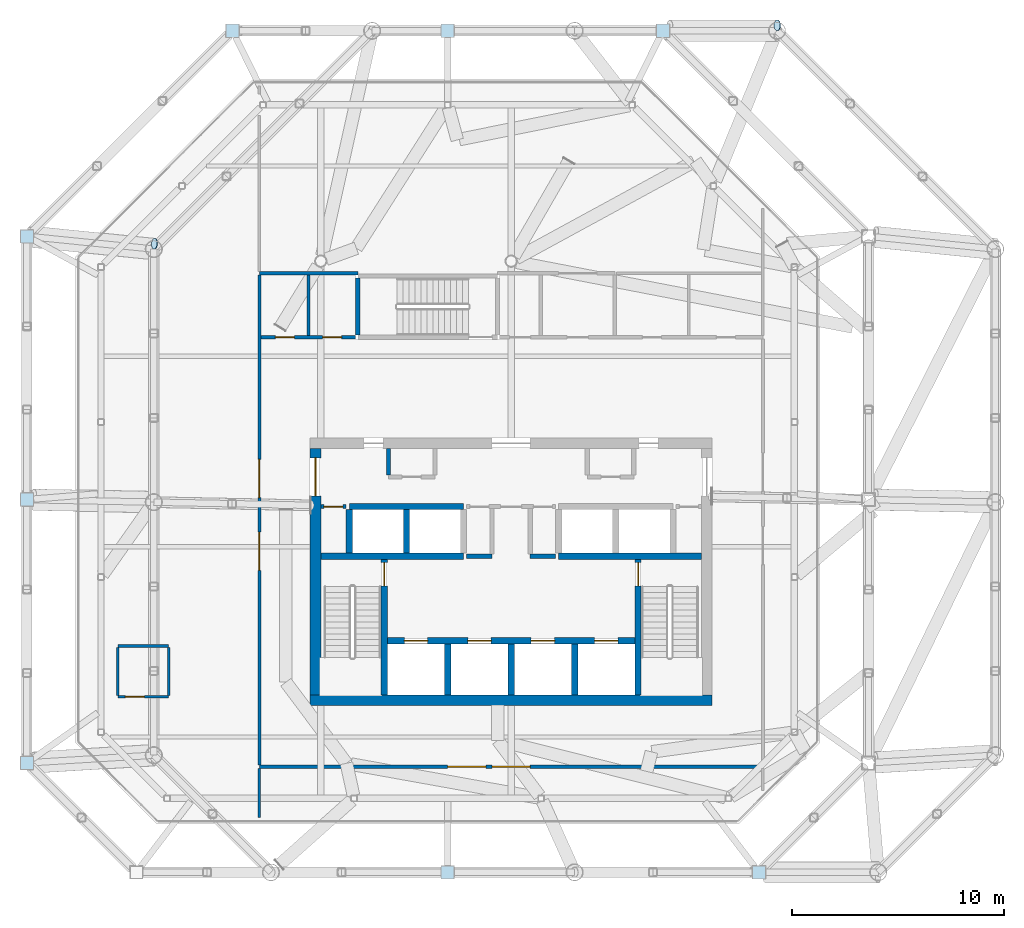
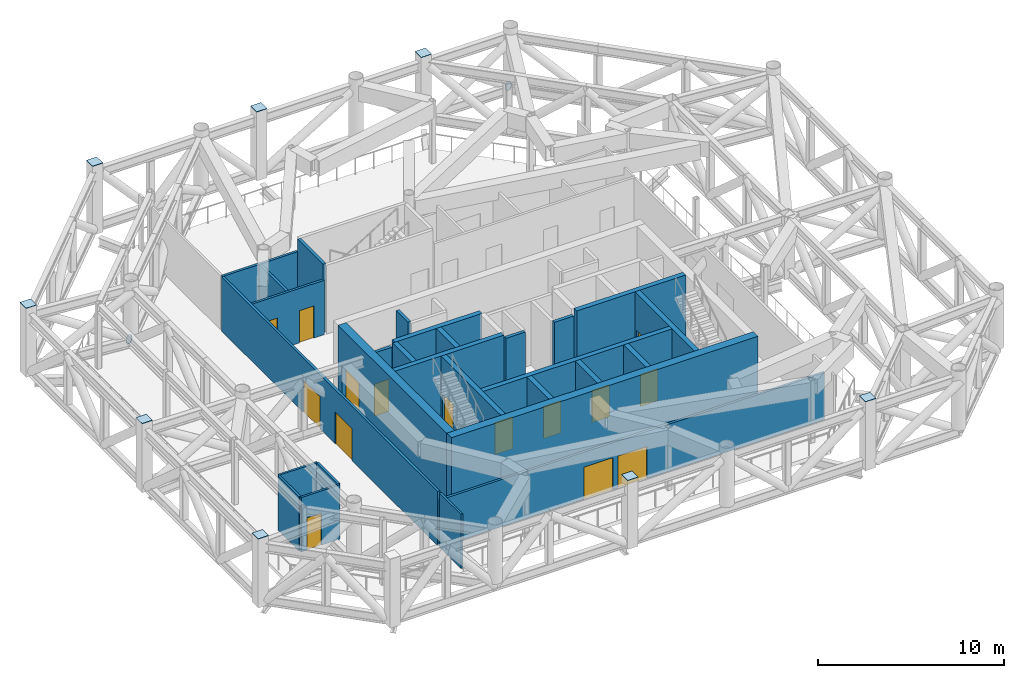
# One storey, part 9 of 14: 28 walls, 15 doors, 10 plates, 15 openings.
"""IFC4 building model written with IfcOpenShell, lengths in metres."""

from ifc_helpers import new_model, si_unit, direction, frame, frame_2d, origin, origin_2d, place, context, subcontext, project, spatial, rectangle, circle, extrude, material, layer, layer_set, material_profile, profile_set, type_object, element, fill, save


model = new_model("IFC4")

# Units and contexts
model_context = context("Model", 3, precision=1e-05, world=origin(), true_north=direction((0.0, 1.0)))
body_context = subcontext(model_context, "Body", "Model", "MODEL_VIEW")
ifc_project = project(units=[si_unit("LENGTHUNIT", "METRE"), si_unit("AREAUNIT", "SQUARE_METRE"), si_unit("VOLUMEUNIT", "CUBIC_METRE"), si_unit("PLANEANGLEUNIT", "RADIAN"), si_unit("MASSUNIT", "GRAM", prefix="KILO")], contexts=[model_context])

# Site, building, storey
site_placement = place(None, origin())
site = spatial("IfcSite", under=ifc_project, at=site_placement, CompositionType="ELEMENT")
building_placement = place(site_placement, origin())
building = spatial("IfcBuilding", under=site, at=building_placement, Name="Tskaro Facet Tower", CompositionType="ELEMENT")
storey_placement = place(building_placement, frame((0.0, 0.0, 255.0)))
storey = spatial("IfcBuildingStorey", under=building, at=storey_placement, Name="L67", CompositionType="ELEMENT", Elevation=255.0)

# Plates
ifc_material_1 = material(Name="Steel S355J2", Category="steel")
ifc_material_profile_1 = material_profile(ifc_material_1, circle(Radius=0.25390625, at=origin_2d()), Name="PL 508 dia x30 end plate")
ifc_profile_set_1 = profile_set([ifc_material_profile_1], Name="Steel S355J2")
plate_type_1 = type_object("IfcPlateType", Name="PL 508 dia x30 end plate", PredefinedType="SHEET", material=ifc_profile_set_1)
plate_1_placement = place(storey_placement, frame((12.572021484375, 20.14697265625, 0.31005859375), z_axis=(0.825708106914, 0.0, -0.564097617595), x_axis=(0.0, 1.0, 0.0)))
element("IfcPlate", 1, at=plate_1_placement, inside=storey, type_object=plate_type_1, Name="End plate CP3-01", PredefinedType="SHEET", context=body_context, shape_type="SweptSolid", body=[
    extrude(circle(Radius=0.25390625, at=origin_2d()), origin(), (0.0, 0.0, 1.0), 0.02978515625),
])
plate_2_placement = place(storey_placement, frame((-16.86767578125, 9.82470703125, 0.31005859375), z_axis=(0.85107475038, -0.081054738131, -0.518750324041), x_axis=(0.094809092628, 0.995495472594, 0.0)))
element("IfcPlate", 2, at=plate_2_placement, inside=storey, type_object=plate_type_1, Name="End plate CP3-02", PredefinedType="SHEET", context=body_context, shape_type="SweptSolid", body=[
    extrude(circle(Radius=0.25390625, at=origin_2d()), origin(), (0.0, 0.0, 1.0), 0.030029296875),
])
ifc_material_profile_2 = material_profile(ifc_material_1, rectangle(XDim=0.64990234375, YDim=0.64990234375, at=origin_2d()), Name="PL 650x650x30 end plate")
ifc_profile_set_2 = profile_set([ifc_material_profile_2], Name="Steel S355J2")
plate_type_2 = type_object("IfcPlateType", Name="PL 650x650x30 end plate", PredefinedType="SHEET", material=ifc_profile_set_2)
for number, where, z_axis, x_axis, name in (
    (3, (-3.0, -19.89306640625, 4.5), (0.0, 0.0, 1.0), (1.0, 0.0, 0.0), "End plate CP7-02"),
    (4, (11.718994140625, -19.89306640625, 4.5), (0.0, 0.0, 1.0), (1.0, 0.0, 0.0), "End plate CP7-03"),
    (5, (7.176025390625, 19.89306640625, 4.5), (0.0, 0.0, 1.0), (1.0, 0.0, 0.0), "End plate CP7-04"),
    (6, (-3.0, 19.89306640625, 4.5), (0.0, 0.0, 1.0), (1.0, 0.0, 0.0), "End plate CP7-05"),
    (7, (-13.176025390625, 19.89306640625, 4.5), (0.0, 0.0, 1.0), (1.0, 0.0, 0.0), "End plate CP7-06"),
    (8, (-22.89306640625, 10.176025390625, 4.5), (0.0, 0.0, 1.0), (1.0, 0.0, 0.0), "End plate CP7-07"),
    (9, (-22.89306640625, -2.27099609375, 4.5), (0.0, 0.0, 1.0), (1.0, 0.0, 0.0), "End plate CP7-08"),
    (10, (-22.89306640625, -14.718994140625, 4.5), (0.0, 0.0, 1.0), (1.0, 0.0, 0.0), "End plate CP7-09"),
):
    element("IfcPlate", number, at=place(storey_placement, frame(where, z_axis=z_axis, x_axis=x_axis)), inside=storey, type_object=plate_type_2, Name=name, PredefinedType="SHEET", context=body_context, shape_type="SweptSolid", body=[
        extrude(rectangle(XDim=0.64990234375, YDim=0.64990234375, at=origin_2d()), origin(), (0.0, 0.0, 1.0), 0.030029296875),
    ])

# Wall, openings, doors
ifc_material_2 = material(Name="Concrete C60/75", Category="concrete")
ifc_layer_1 = layer(ifc_material_2, 0.300048828125, Name="Concrete C60/75")
ifc_layer_set_1 = layer_set([ifc_layer_1], Name="Concrete C60/75")
wall_type_1 = type_object("IfcWallType", Name="CORE-SHAFT", PredefinedType="SHEAR", material=ifc_layer_set_1)
wall_1_placement = place(storey_placement, frame((-5.85009765625, -8.949951171875, 0.0), z_axis=(0.0, 0.0, 1.0), x_axis=(1.0, 0.0, 0.0)))
wall_1 = element("IfcWall", 11, at=wall_1_placement, inside=storey, type_object=wall_type_1, Name="Shaft wall W004", PredefinedType="SHEAR", context=body_context, shape_type="SweptSolid", body=[
    extrude(rectangle(XDim=11.7001953125, YDim=0.300048828125, at=frame_2d((5.85009765625, 0.0))), origin(), (0.0, 0.0, 1.0), 4.5),
])
opening_1_placement = place(wall_1_placement, frame((0.800048828125, 0.0, 0.0)))
opening_1 = element("IfcOpeningElement", 12, at=opening_1_placement, cuts=wall_1, Name="Opening LD-FF1", PredefinedType="OPENING", context=body_context, shape_type="SweptSolid", body=[
    extrude(rectangle(XDim=1.10009765625, YDim=2.10009765625, at=frame_2d((0.550048828125, 1.050048828125))), frame((0.0, 0.159912109375, 0.0), z_axis=(0.0, -1.0, 0.0), x_axis=(1.0, 0.0, 0.0)), (0.0, 0.0, 1.0), 0.320068359375),
])
opening_2_placement = place(wall_1_placement, frame((3.800048828125, 0.0, 0.0)))
opening_2 = element("IfcOpeningElement", 13, at=opening_2_placement, cuts=wall_1, Name="Opening LD-FF2", PredefinedType="OPENING", context=body_context, shape_type="SweptSolid", body=[
    extrude(rectangle(XDim=1.10009765625, YDim=2.10009765625, at=frame_2d((0.550048828125, 1.050048828125))), frame((0.0, 0.159912109375, 0.0), z_axis=(0.0, -1.0, 0.0), x_axis=(1.0, 0.0, 0.0)), (0.0, 0.0, 1.0), 0.320068359375),
])
opening_3_placement = place(wall_1_placement, frame((6.800048828125, 0.0, 0.0)))
opening_3 = element("IfcOpeningElement", 14, at=opening_3_placement, cuts=wall_1, Name="Opening LD-SV1", PredefinedType="OPENING", context=body_context, shape_type="SweptSolid", body=[
    extrude(rectangle(XDim=1.10009765625, YDim=2.10009765625, at=frame_2d((0.550048828125, 1.050048828125))), frame((0.0, 0.159912109375, 0.0), z_axis=(0.0, -1.0, 0.0), x_axis=(1.0, 0.0, 0.0)), (0.0, 0.0, 1.0), 0.320068359375),
])
opening_4_placement = place(wall_1_placement, frame((9.800048828125, 0.0, 0.0)))
opening_4 = element("IfcOpeningElement", 15, at=opening_4_placement, cuts=wall_1, Name="Opening LD-SV2", PredefinedType="OPENING", context=body_context, shape_type="SweptSolid", body=[
    extrude(rectangle(XDim=1.10009765625, YDim=2.10009765625, at=frame_2d((0.550048828125, 1.050048828125))), frame((0.0, 0.159912109375, 0.0), z_axis=(0.0, -1.0, 0.0), x_axis=(1.0, 0.0, 0.0)), (0.0, 0.0, 1.0), 0.320068359375),
])
ifc_material_3 = material(Name="Stainless steel", Category="steel")
door_type_1 = type_object("IfcDoorType", Name="D-LANDING", OperationType="NOTDEFINED", PredefinedType="DOOR", material=ifc_material_3)
door_1_placement = place(opening_1_placement, origin())
door_1 = element("IfcDoor", 16, at=door_1_placement, inside=storey, type_object=door_type_1, Name="Landing door FF1", OperationType="DOUBLE_DOOR_SLIDING", OverallHeight=2.10009765625, OverallWidth=1.10009765625, PredefinedType="DOOR", context=body_context, shape_type="SweptSolid", body=[
    extrude(rectangle(XDim=1.10009765625, YDim=2.10009765625, at=frame_2d((0.550048828125, 1.050048828125))), frame((0.0, 0.02490234375, 0.0), z_axis=(0.0, -1.0, 0.0), x_axis=(1.0, 0.0, 0.0)), (0.0, 0.0, 1.0), 0.050048828125),
])
fill(opening_1, door_1)
door_2_placement = place(opening_2_placement, origin())
door_2 = element("IfcDoor", 17, at=door_2_placement, inside=storey, type_object=door_type_1, Name="Landing door FF2", OperationType="DOUBLE_DOOR_SLIDING", OverallHeight=2.10009765625, OverallWidth=1.10009765625, PredefinedType="DOOR", context=body_context, shape_type="SweptSolid", body=[
    extrude(rectangle(XDim=1.10009765625, YDim=2.10009765625, at=frame_2d((0.550048828125, 1.050048828125))), frame((0.0, 0.02490234375, 0.0), z_axis=(0.0, -1.0, 0.0), x_axis=(1.0, 0.0, 0.0)), (0.0, 0.0, 1.0), 0.050048828125),
])
fill(opening_2, door_2)
door_3_placement = place(opening_3_placement, origin())
door_3 = element("IfcDoor", 18, at=door_3_placement, inside=storey, type_object=door_type_1, Name="Landing door SV1", OperationType="DOUBLE_DOOR_SLIDING", OverallHeight=2.10009765625, OverallWidth=1.10009765625, PredefinedType="DOOR", context=body_context, shape_type="SweptSolid", body=[
    extrude(rectangle(XDim=1.10009765625, YDim=2.10009765625, at=frame_2d((0.550048828125, 1.050048828125))), frame((0.0, 0.02490234375, 0.0), z_axis=(0.0, -1.0, 0.0), x_axis=(1.0, 0.0, 0.0)), (0.0, 0.0, 1.0), 0.050048828125),
])
fill(opening_3, door_3)
door_4_placement = place(opening_4_placement, origin())
door_4 = element("IfcDoor", 19, at=door_4_placement, inside=storey, type_object=door_type_1, Name="Landing door SV2", OperationType="DOUBLE_DOOR_SLIDING", OverallHeight=2.10009765625, OverallWidth=1.10009765625, PredefinedType="DOOR", context=body_context, shape_type="SweptSolid", body=[
    extrude(rectangle(XDim=1.10009765625, YDim=2.10009765625, at=frame_2d((0.550048828125, 1.050048828125))), frame((0.0, 0.02490234375, 0.0), z_axis=(0.0, -1.0, 0.0), x_axis=(1.0, 0.0, 0.0)), (0.0, 0.0, 1.0), 0.050048828125),
])
fill(opening_4, door_4)

# Walls
for number, where, z_axis, x_axis, name in (
    (20, (-9.0, -4.949951171875, 0.0), (0.0, 0.0, 1.0), (1.0, 0.0, 0.0), "Shaft wall W005"),
    (21, (2.25, -4.949951171875, 0.0), (0.0, 0.0, 1.0), (1.0, 0.0, 0.0), "Shaft wall W008"),
):
    element("IfcWall", number, at=place(storey_placement, frame(where, z_axis=z_axis, x_axis=x_axis)), inside=storey, type_object=wall_type_1, Name=name, PredefinedType="SHEAR", context=body_context, shape_type="SweptSolid", body=[
        extrude(rectangle(XDim=6.75, YDim=0.300048828125, at=frame_2d((3.375, 0.0))), origin(), (0.0, 0.0, 1.0), 4.5),
    ])
wall_2_placement = place(storey_placement, frame((-7.64990234375, -2.60009765625, 0.0), z_axis=(0.0, 0.0, 1.0), x_axis=(1.0, 0.0, 0.0)))
element("IfcWall", 22, at=wall_2_placement, inside=storey, type_object=wall_type_1, Name="Shaft wall W010", PredefinedType="SHEAR", context=body_context, shape_type="SweptSolid", body=[
    extrude(rectangle(XDim=5.39990234375, YDim=0.300048828125, at=frame_2d((2.699951171875, 0.0))), origin(), (0.0, 0.0, 1.0), 4.5),
])
wall_3_placement = place(storey_placement, frame((-7.64990234375, -4.800048828125, 0.0), z_axis=(0.0, 0.0, 1.0), x_axis=(0.0, 1.0, 0.0)))
element("IfcWall", 23, at=wall_3_placement, inside=storey, type_object=wall_type_1, Name="Shaft wall W030", PredefinedType="SHEAR", context=body_context, shape_type="SweptSolid", body=[
    extrude(rectangle(XDim=2.050048828125, YDim=0.300048828125, at=frame_2d((1.02490234375, 0.0))), origin(), (0.0, 0.0, 1.0), 4.5),
])

# Wall, opening, door
wall_4_placement = place(storey_placement, frame((-6.0, -11.5, 0.0), z_axis=(0.0, 0.0, 1.0), x_axis=(0.0, 1.0, 0.0)))
wall_4 = element("IfcWall", 24, at=wall_4_placement, inside=storey, type_object=wall_type_1, Name="Shaft wall W032", PredefinedType="SHEAR", context=body_context, shape_type="SweptSolid", body=[
    extrude(rectangle(XDim=6.39990234375, YDim=0.300048828125, at=frame_2d((3.199951171875, 0.0))), origin(), (0.0, 0.0, 1.0), 4.5),
])
opening_5_placement = place(wall_4_placement, frame((5.14990234375, 0.0, 0.0)))
opening_5 = element("IfcOpeningElement", 25, at=opening_5_placement, cuts=wall_4, Name="Opening ST-1-D1", PredefinedType="OPENING", context=body_context, shape_type="SweptSolid", body=[
    extrude(rectangle(XDim=1.10009765625, YDim=2.10009765625, at=frame_2d((0.550048828125, 1.050048828125))), frame((0.0, 0.159912109375, 0.0), z_axis=(0.0, -1.0, 0.0), x_axis=(1.0, 0.0, 0.0)), (0.0, 0.0, 1.0), 0.320068359375),
])
ifc_material_4 = material(Name="Steel", Category="steel")
door_type_2 = type_object("IfcDoorType", Name="D-STAIR", OperationType="NOTDEFINED", PredefinedType="DOOR", material=ifc_material_4)
door_5_placement = place(opening_5_placement, origin())
door_5 = element("IfcDoor", 26, at=door_5_placement, inside=storey, type_object=door_type_2, Name="Stair door 1", OperationType="SINGLE_SWING_LEFT", OverallHeight=2.10009765625, OverallWidth=1.10009765625, PredefinedType="DOOR", context=body_context, shape_type="SweptSolid", body=[
    extrude(rectangle(XDim=1.10009765625, YDim=2.10009765625, at=frame_2d((0.550048828125, 1.050048828125))), frame((0.0, 0.02490234375, 0.0), z_axis=(0.0, -1.0, 0.0), x_axis=(1.0, 0.0, 0.0)), (0.0, 0.0, 1.0), 0.050048828125),
])
fill(opening_5, door_5)

# Walls
wall_5_placement = place(storey_placement, frame((-4.949951171875, -4.800048828125, 0.0), z_axis=(0.0, 0.0, 1.0), x_axis=(0.0, 1.0, 0.0)))
element("IfcWall", 27, at=wall_5_placement, inside=storey, type_object=wall_type_1, Name="Shaft wall W034", PredefinedType="SHEAR", context=body_context, shape_type="SweptSolid", body=[
    extrude(rectangle(XDim=2.050048828125, YDim=0.300048828125, at=frame_2d((1.02490234375, 0.0))), origin(), (0.0, 0.0, 1.0), 4.5),
])
for number, where, z_axis, x_axis, name in (
    (28, (-3.0, -11.5, 0.0), (0.0, 0.0, 1.0), (0.0, 1.0, 0.0), "Shaft wall W036"),
    (29, (0.0, -11.5, 0.0), (0.0, 0.0, 1.0), (0.0, 1.0, 0.0), "Shaft wall W040"),
    (30, (3.0, -11.5, 0.0), (0.0, 0.0, 1.0), (0.0, 1.0, 0.0), "Shaft wall W044"),
):
    element("IfcWall", number, at=place(storey_placement, frame(where, z_axis=z_axis, x_axis=x_axis)), inside=storey, type_object=wall_type_1, Name=name, PredefinedType="SHEAR", context=body_context, shape_type="SweptSolid", body=[
        extrude(rectangle(XDim=2.39990234375, YDim=0.300048828125, at=frame_2d((1.199951171875, 0.0))), origin(), (0.0, 0.0, 1.0), 4.5),
    ])

# Wall, opening, door
wall_6_placement = place(storey_placement, frame((6.0, -5.10009765625, 0.0), z_axis=(0.0, 0.0, 1.0), x_axis=(0.0, -1.0, 0.0)))
wall_6 = element("IfcWall", 31, at=wall_6_placement, inside=storey, type_object=wall_type_1, Name="Shaft wall W049", PredefinedType="SHEAR", context=body_context, shape_type="SweptSolid", body=[
    extrude(rectangle(XDim=6.39990234375, YDim=0.300048828125, at=frame_2d((3.199951171875, 0.0))), origin(), (0.0, 0.0, 1.0), 4.5),
])
opening_6_placement = place(wall_6_placement, frame((0.14990234375, 0.0, 0.0)))
opening_6 = element("IfcOpeningElement", 32, at=opening_6_placement, cuts=wall_6, Name="Opening ST-2-D1", PredefinedType="OPENING", context=body_context, shape_type="SweptSolid", body=[
    extrude(rectangle(XDim=1.10009765625, YDim=2.10009765625, at=frame_2d((0.550048828125, 1.050048828125))), frame((0.0, 0.159912109375, 0.0), z_axis=(0.0, -1.0, 0.0), x_axis=(1.0, 0.0, 0.0)), (0.0, 0.0, 1.0), 0.320068359375),
])
door_6_placement = place(opening_6_placement, origin())
door_6 = element("IfcDoor", 33, at=door_6_placement, inside=storey, type_object=door_type_2, Name="Stair door 2", OperationType="SINGLE_SWING_RIGHT", OverallHeight=2.10009765625, OverallWidth=1.10009765625, PredefinedType="DOOR", context=body_context, shape_type="SweptSolid", body=[
    extrude(rectangle(XDim=1.10009765625, YDim=2.10009765625, at=frame_2d((0.550048828125, 1.050048828125))), frame((0.0, 0.02490234375, 0.0), z_axis=(0.0, -1.0, 0.0), x_axis=(1.0, 0.0, 0.0)), (0.0, 0.0, 1.0), 0.050048828125),
])
fill(opening_6, door_6)

# Walls
ifc_material_5 = material(Name="Concrete C20/25", Category="concrete")
ifc_layer_2 = layer(ifc_material_5, 0.199951171875, Name="Concrete C20/25")
ifc_layer_set_2 = layer_set([ifc_layer_2], Name="Concrete C20/25")
wall_type_2 = type_object("IfcWallType", Name="CORE-WALL", PredefinedType="SOLIDWALL", material=ifc_layer_set_2)
for number, where, z_axis, x_axis, name in (
    (34, (-2.10009765625, -4.949951171875, 0.0), (0.0, 0.0, 1.0), (1.0, 0.0, 0.0), "Core room wall W006"),
    (35, (0.89990234375, -4.949951171875, 0.0), (0.0, 0.0, 1.0), (1.0, 0.0, 0.0), "Core room wall W007"),
):
    element("IfcWall", number, at=place(storey_placement, frame(where, z_axis=z_axis, x_axis=x_axis)), inside=storey, type_object=wall_type_2, Name=name, PredefinedType="SOLIDWALL", context=body_context, shape_type="SweptSolid", body=[
        extrude(rectangle(XDim=1.2001953125, YDim=0.199951171875, at=frame_2d((0.60009765625, 0.0))), origin(), (0.0, 0.0, 1.0), 4.199951171875),
    ])

# Wall, opening, door
wall_7_placement = place(storey_placement, frame((-7.800048828125, -2.60009765625, 0.0), z_axis=(0.0, 0.0, 1.0), x_axis=(-1.0, 0.0, 0.0)))
wall_7 = element("IfcWall", 36, at=wall_7_placement, inside=storey, type_object=wall_type_2, Name="Core room wall W009", PredefinedType="SOLIDWALL", context=body_context, shape_type="SweptSolid", body=[
    extrude(rectangle(XDim=1.199951171875, YDim=0.199951171875, at=frame_2d((0.60009765625, 0.0))), origin(), (0.0, 0.0, 1.0), 4.199951171875),
])
opening_7_placement = place(wall_7_placement, frame((0.14990234375, 0.0, 0.0)))
opening_7 = element("IfcOpeningElement", 37, at=opening_7_placement, cuts=wall_7, Name="Opening R67-D07", PredefinedType="OPENING", context=body_context, shape_type="SweptSolid", body=[
    extrude(rectangle(XDim=0.89990234375, YDim=2.10009765625, at=frame_2d((0.449951171875, 1.050048828125))), frame((0.0, 0.10986328125, 0.0), z_axis=(0.0, -1.0, 0.0), x_axis=(1.0, 0.0, 0.0)), (0.0, 0.0, 1.0), 0.219970703125),
])
ifc_material_6 = material(Name="Timber", Category="wood")
door_type_3 = type_object("IfcDoorType", Name="D-ROOM", OperationType="NOTDEFINED", PredefinedType="DOOR", material=ifc_material_6)
door_7_placement = place(opening_7_placement, origin())
door_7 = element("IfcDoor", 38, at=door_7_placement, inside=storey, type_object=door_type_3, Name="Door R67-D07", OperationType="SINGLE_SWING_RIGHT", OverallHeight=2.10009765625, OverallWidth=0.89990234375, PredefinedType="DOOR", context=body_context, shape_type="SweptSolid", body=[
    extrude(rectangle(XDim=0.89990234375, YDim=2.10009765625, at=frame_2d((0.449951171875, 1.050048828125))), frame((0.0, 0.02490234375, 0.0), z_axis=(0.0, -1.0, 0.0), x_axis=(1.0, 0.0, 0.0)), (0.0, 0.0, 1.0), 0.050048828125),
])
fill(opening_7, door_7)

# Walls
wall_8_placement = place(storey_placement, frame((-5.800048828125, -1.10009765625, 0.0), z_axis=(0.0, 0.0, 1.0), x_axis=(0.0, 1.0, 0.0)))
element("IfcWall", 39, at=wall_8_placement, inside=storey, type_object=wall_type_2, Name="Core room wall W033", PredefinedType="SOLIDWALL", context=body_context, shape_type="SweptSolid", body=[
    extrude(rectangle(XDim=1.25, YDim=0.199951171875, at=frame_2d((0.625, 0.0))), origin(), (0.0, 0.0, 1.0), 4.199951171875),
])
ifc_material_7 = material(Name="Concrete C40/50", Category="concrete")
ifc_layer_3 = layer(ifc_material_7, 0.5, Name="Concrete C40/50")
ifc_layer_set_3 = layer_set([ifc_layer_3], Name="Concrete C40/50")
wall_type_3 = type_object("IfcWallType", Name="Core wall 500", PredefinedType="SHEAR", material=ifc_layer_set_3)
wall_9_placement = place(storey_placement, frame((-9.5, -11.75, 0.0), z_axis=(0.0, 0.0, 1.0), x_axis=(1.0, 0.0, 0.0)))
element("IfcWall", 40, at=wall_9_placement, inside=storey, type_object=wall_type_3, Name="Core wall CW-Z3S", PredefinedType="SHEAR", context=body_context, shape_type="SweptSolid", body=[
    extrude(rectangle(XDim=19.0, YDim=0.5, at=frame_2d((9.5, 0.0))), origin(), (0.0, 0.0, 1.0), 4.5),
])

# Wall, opening, door
wall_10_placement = place(storey_placement, frame((-9.25, -11.5, 0.0), z_axis=(0.0, 0.0, 1.0), x_axis=(0.0, 1.0, 0.0)))
wall_10 = element("IfcWall", 41, at=wall_10_placement, inside=storey, type_object=wall_type_3, Name="Core wall CW-Z3W", PredefinedType="SHEAR", context=body_context, shape_type="SweptSolid", body=[
    extrude(rectangle(XDim=11.64990234375, YDim=0.5, at=frame_2d((5.824951171875, 0.0))), origin(), (0.0, 0.0, 1.0), 4.5),
])
opening_8_placement = place(wall_10_placement, frame((9.39990234375, 0.0, 0.0)))
opening_8 = element("IfcOpeningElement", 42, at=opening_8_placement, cuts=wall_10, Name="Opening R67-D12", PredefinedType="OPENING", context=body_context, shape_type="SweptSolid", body=[
    extrude(rectangle(XDim=1.800048828125, YDim=2.10009765625, at=frame_2d((0.89990234375, 1.050048828125))), frame((0.0, 0.260009765625, 0.0), z_axis=(0.0, -1.0, 0.0), x_axis=(1.0, 0.0, 0.0)), (0.0, 0.0, 1.0), 0.52001953125),
])
door_type_4 = type_object("IfcDoorType", Name="D-CORE-PAIR", OperationType="NOTDEFINED", PredefinedType="DOOR", material=ifc_material_4)
door_8_placement = place(opening_8_placement, origin())
door_8 = element("IfcDoor", 43, at=door_8_placement, inside=storey, type_object=door_type_4, Name="Door R67-D12", OperationType="DOUBLE_DOOR_SINGLE_SWING", OverallHeight=2.10009765625, OverallWidth=1.800048828125, PredefinedType="DOOR", context=body_context, shape_type="SweptSolid", body=[
    extrude(rectangle(XDim=1.800048828125, YDim=2.10009765625, at=frame_2d((0.89990234375, 1.050048828125))), frame((0.0, 0.02490234375, 0.0), z_axis=(0.0, -1.0, 0.0), x_axis=(1.0, 0.0, 0.0)), (0.0, 0.0, 1.0), 0.050048828125),
])
fill(opening_8, door_8)

ifc_material_8 = material(Name="Gypsum board on steel studs", Category="steel")
ifc_layer_4 = layer(ifc_material_8, 0.125, Name="Gypsum board on steel studs")
ifc_layer_set_4 = layer_set([ifc_layer_4], Name="Gypsum board on steel studs")
wall_type_4 = type_object("IfcWallType", Name="PART", PredefinedType="PARTITIONING", material=ifc_layer_set_4)
wall_11_placement = place(storey_placement, frame((-18.590087890625, -11.590087890625, 0.0), z_axis=(0.0, 0.0, 1.0), x_axis=(1.0, 0.0, 0.0)))
wall_11 = element("IfcWall", 44, at=wall_11_placement, inside=storey, type_object=wall_type_4, Name="Partition W002", PredefinedType="PARTITIONING", context=body_context, shape_type="SweptSolid", body=[
    extrude(rectangle(XDim=2.400146484375, YDim=0.125, at=frame_2d((1.2001953125, 0.0))), origin(), (0.0, 0.0, 1.0), 3.56005859375),
])
opening_9_placement = place(wall_11_placement, frame((0.35009765625, 0.0, 0.0)))
opening_9 = element("IfcOpeningElement", 45, at=opening_9_placement, cuts=wall_11, Name="Opening R67-D03", PredefinedType="OPENING", context=body_context, shape_type="SweptSolid", body=[
    extrude(rectangle(XDim=0.89990234375, YDim=2.10009765625, at=frame_2d((0.449951171875, 1.050048828125))), frame((0.0, 0.072509765625, 0.0), z_axis=(0.0, -1.0, 0.0), x_axis=(1.0, 0.0, 0.0)), (0.0, 0.0, 1.0), 0.14501953125),
])
door_9_placement = place(opening_9_placement, origin())
door_9 = element("IfcDoor", 46, at=door_9_placement, inside=storey, type_object=door_type_3, Name="Door R67-D03", OperationType="SINGLE_SWING_LEFT", OverallHeight=2.10009765625, OverallWidth=0.89990234375, PredefinedType="DOOR", context=body_context, shape_type="SweptSolid", body=[
    extrude(rectangle(XDim=0.89990234375, YDim=2.10009765625, at=frame_2d((0.449951171875, 1.050048828125))), frame((0.0, 0.02490234375, 0.0), z_axis=(0.0, -1.0, 0.0), x_axis=(1.0, 0.0, 0.0)), (0.0, 0.0, 1.0), 0.050048828125),
])
fill(opening_9, door_9)

# Walls
wall_12_placement = place(storey_placement, frame((-18.590087890625, -9.18994140625, 0.0), z_axis=(0.0, 0.0, 1.0), x_axis=(1.0, 0.0, 0.0)))
element("IfcWall", 47, at=wall_12_placement, inside=storey, type_object=wall_type_4, Name="Partition W003", PredefinedType="PARTITIONING", context=body_context, shape_type="SweptSolid", body=[
    extrude(rectangle(XDim=2.400146484375, YDim=0.125, at=frame_2d((1.2001953125, 0.0))), origin(), (0.0, 0.0, 1.0), 3.56005859375),
])
for number, where, z_axis, x_axis, name in (
    (48, (-18.590087890625, -11.527587890625, 0.0), (0.0, 0.0, 1.0), (0.0, 1.0, 0.0), "Partition W023"),
    (49, (-16.18994140625, -11.527587890625, 0.0), (0.0, 0.0, 1.0), (0.0, 1.0, 0.0), "Partition W024"),
):
    element("IfcWall", number, at=place(storey_placement, frame(where, z_axis=z_axis, x_axis=x_axis)), inside=storey, type_object=wall_type_4, Name=name, PredefinedType="PARTITIONING", context=body_context, shape_type="SweptSolid", body=[
        extrude(rectangle(XDim=2.275146484375, YDim=0.125, at=frame_2d((1.1376953125, 0.0))), origin(), (0.0, 0.0, 1.0), 3.56005859375),
    ])
wall_13_placement = place(storey_placement, frame((-11.89990234375, -17.291015625, 0.0), z_axis=(0.0, 0.0, 1.0), x_axis=(0.0, 1.0, 0.0)))
element("IfcWall", 50, at=wall_13_placement, inside=storey, type_object=wall_type_4, Name="Partition W025", PredefinedType="PARTITIONING", context=body_context, shape_type="SweptSolid", body=[
    extrude(rectangle(XDim=2.31591796875, YDim=0.125, at=frame_2d((1.157958984375, 0.0))), origin(), (0.0, 0.0, 1.0), 3.56005859375),
])

# Wall, openings, doors
ifc_layer_5 = layer(ifc_material_8, 0.14990234375, Name="Gypsum board on steel studs")
ifc_layer_set_5 = layer_set([ifc_layer_5], Name="Gypsum board on steel studs")
wall_type_5 = type_object("IfcWallType", Name="PART-CORR", PredefinedType="PARTITIONING", material=ifc_layer_set_5)
wall_14_placement = place(storey_placement, frame((-11.89990234375, -14.89990234375, 0.0), z_axis=(0.0, 0.0, 1.0), x_axis=(1.0, 0.0, 0.0)))
wall_14 = element("IfcWall", 51, at=wall_14_placement, inside=storey, type_object=wall_type_5, Name="Corridor wall W001", PredefinedType="PARTITIONING", context=body_context, shape_type="SweptSolid", body=[
    extrude(rectangle(XDim=23.7998046875, YDim=0.14990234375, at=frame_2d((11.89990234375, 0.0))), origin(), (0.0, 0.0, 1.0), 3.080078125),
])
opening_10_placement = place(wall_14_placement, frame((11.0, 0.0, 0.0)))
opening_10 = element("IfcOpeningElement", 52, at=opening_10_placement, cuts=wall_14, Name="Opening R67-D02", PredefinedType="OPENING", context=body_context, shape_type="SweptSolid", body=[
    extrude(rectangle(XDim=1.800048828125, YDim=2.10009765625, at=frame_2d((0.89990234375, 1.050048828125))), frame((0.0, 0.0849609375, 0.0), z_axis=(0.0, -1.0, 0.0), x_axis=(1.0, 0.0, 0.0)), (0.0, 0.0, 1.0), 0.169921875),
])
opening_11_placement = place(wall_14_placement, frame((8.89990234375, 0.0, 0.0)))
opening_11 = element("IfcOpeningElement", 53, at=opening_11_placement, cuts=wall_14, Name="Opening R67-D01", PredefinedType="OPENING", context=body_context, shape_type="SweptSolid", body=[
    extrude(rectangle(XDim=1.800048828125, YDim=2.10009765625, at=frame_2d((0.89990234375, 1.050048828125))), frame((0.0, 0.0849609375, 0.0), z_axis=(0.0, -1.0, 0.0), x_axis=(1.0, 0.0, 0.0)), (0.0, 0.0, 1.0), 0.169921875),
])
ifc_material_9 = material(Name="Glass", Category="glass")
door_type_5 = type_object("IfcDoorType", Name="D-ENTRY-PAIR", OperationType="NOTDEFINED", PredefinedType="DOOR", material=ifc_material_9)
door_10_placement = place(opening_10_placement, origin())
door_10 = element("IfcDoor", 54, at=door_10_placement, inside=storey, type_object=door_type_5, Name="Door R67-D02", OperationType="DOUBLE_DOOR_SINGLE_SWING", OverallHeight=2.10009765625, OverallWidth=1.800048828125, PredefinedType="DOOR", context=body_context, shape_type="SweptSolid", body=[
    extrude(rectangle(XDim=1.800048828125, YDim=2.10009765625, at=frame_2d((0.89990234375, 1.050048828125))), frame((0.0, 0.02490234375, 0.0), z_axis=(0.0, -1.0, 0.0), x_axis=(1.0, 0.0, 0.0)), (0.0, 0.0, 1.0), 0.050048828125),
])
fill(opening_10, door_10)
door_11_placement = place(opening_11_placement, origin())
door_11 = element("IfcDoor", 55, at=door_11_placement, inside=storey, type_object=door_type_5, Name="Door R67-D01", OperationType="DOUBLE_DOOR_SINGLE_SWING", OverallHeight=2.10009765625, OverallWidth=1.800048828125, PredefinedType="DOOR", context=body_context, shape_type="SweptSolid", body=[
    extrude(rectangle(XDim=1.800048828125, YDim=2.10009765625, at=frame_2d((0.89990234375, 1.050048828125))), frame((0.0, 0.02490234375, 0.0), z_axis=(0.0, -1.0, 0.0), x_axis=(1.0, 0.0, 0.0)), (0.0, 0.0, 1.0), 0.050048828125),
])
fill(opening_11, door_11)

wall_15_placement = place(storey_placement, frame((-11.824951171875, 5.39990234375, 0.0), z_axis=(0.0, 0.0, 1.0), x_axis=(1.0, 0.0, 0.0)))
wall_15 = element("IfcWall", 56, at=wall_15_placement, inside=storey, type_object=wall_type_5, Name="Corridor wall W016", PredefinedType="PARTITIONING", context=body_context, shape_type="SweptSolid", body=[
    extrude(rectangle(XDim=4.474853515625, YDim=0.14990234375, at=frame_2d((2.2373046875, 0.0))), origin(), (0.0, 0.0, 1.0), 3.56005859375),
])
opening_12_placement = place(wall_15_placement, frame((0.675048828125, 0.0, 0.0)))
opening_12 = element("IfcOpeningElement", 57, at=opening_12_placement, cuts=wall_15, Name="Opening R67-D19", PredefinedType="OPENING", context=body_context, shape_type="SweptSolid", body=[
    extrude(rectangle(XDim=0.89990234375, YDim=2.10009765625, at=frame_2d((0.449951171875, 1.050048828125))), frame((0.0, 0.0849609375, 0.0), z_axis=(0.0, -1.0, 0.0), x_axis=(1.0, 0.0, 0.0)), (0.0, 0.0, 1.0), 0.169921875),
])
opening_13_placement = place(wall_15_placement, frame((2.91259765625, 0.0, 0.0)))
opening_13 = element("IfcOpeningElement", 58, at=opening_13_placement, cuts=wall_15, Name="Opening R67-D20", PredefinedType="OPENING", context=body_context, shape_type="SweptSolid", body=[
    extrude(rectangle(XDim=0.89990234375, YDim=2.10009765625, at=frame_2d((0.449951171875, 1.050048828125))), frame((0.0, 0.0849609375, 0.0), z_axis=(0.0, -1.0, 0.0), x_axis=(1.0, 0.0, 0.0)), (0.0, 0.0, 1.0), 0.169921875),
])
door_12_placement = place(opening_12_placement, origin())
door_12 = element("IfcDoor", 59, at=door_12_placement, inside=storey, type_object=door_type_3, Name="Door R67-D19", OperationType="SINGLE_SWING_LEFT", OverallHeight=2.10009765625, OverallWidth=0.89990234375, PredefinedType="DOOR", context=body_context, shape_type="SweptSolid", body=[
    extrude(rectangle(XDim=0.89990234375, YDim=2.10009765625, at=frame_2d((0.449951171875, 1.050048828125))), frame((0.0, 0.02490234375, 0.0), z_axis=(0.0, -1.0, 0.0), x_axis=(1.0, 0.0, 0.0)), (0.0, 0.0, 1.0), 0.050048828125),
])
fill(opening_12, door_12)
door_13_placement = place(opening_13_placement, origin())
door_13 = element("IfcDoor", 60, at=door_13_placement, inside=storey, type_object=door_type_3, Name="Door R67-D20", OperationType="SINGLE_SWING_LEFT", OverallHeight=2.10009765625, OverallWidth=0.89990234375, PredefinedType="DOOR", context=body_context, shape_type="SweptSolid", body=[
    extrude(rectangle(XDim=0.89990234375, YDim=2.10009765625, at=frame_2d((0.449951171875, 1.050048828125))), frame((0.0, 0.02490234375, 0.0), z_axis=(0.0, -1.0, 0.0), x_axis=(1.0, 0.0, 0.0)), (0.0, 0.0, 1.0), 0.050048828125),
])
fill(opening_13, door_13)

# Wall
wall_16_placement = place(storey_placement, frame((-11.89990234375, 8.425048828125, 0.0), z_axis=(0.0, 0.0, 1.0), x_axis=(1.0, 0.0, 0.0)))
element("IfcWall", 61, at=wall_16_placement, inside=storey, type_object=wall_type_5, Name="Corridor wall W020", PredefinedType="PARTITIONING", context=body_context, shape_type="SweptSolid", body=[
    extrude(rectangle(XDim=4.64990234375, YDim=0.14990234375, at=frame_2d((2.324951171875, 0.0))), origin(), (0.0, 0.0, 1.0), 3.56005859375),
])

# Wall, openings, doors
wall_17_placement = place(storey_placement, frame((-11.89990234375, 8.35009765625, 0.0), z_axis=(0.0, 0.0, 1.0), x_axis=(0.0, -1.0, 0.0)))
wall_17 = element("IfcWall", 62, at=wall_17_placement, inside=storey, type_object=wall_type_5, Name="Corridor wall W026", PredefinedType="PARTITIONING", context=body_context, shape_type="SweptSolid", body=[
    extrude(rectangle(XDim=23.175048828125, YDim=0.14990234375, at=frame_2d((11.58740234375, 0.0))), origin(), (0.0, 0.0, 1.0), 3.56005859375),
])
opening_14_placement = place(wall_17_placement, frame((12.16259765625, 0.0, 0.0)))
opening_14 = element("IfcOpeningElement", 63, at=opening_14_placement, cuts=wall_17, Name="Opening R67-D04", PredefinedType="OPENING", context=body_context, shape_type="SweptSolid", body=[
    extrude(rectangle(XDim=1.800048828125, YDim=2.10009765625, at=frame_2d((0.89990234375, 1.050048828125))), frame((0.0, 0.0849609375, 0.0), z_axis=(0.0, -1.0, 0.0), x_axis=(1.0, 0.0, 0.0)), (0.0, 0.0, 1.0), 0.169921875),
])
opening_15_placement = place(wall_17_placement, frame((8.72509765625, 0.0, 0.0)))
opening_15 = element("IfcOpeningElement", 64, at=opening_15_placement, cuts=wall_17, Name="Opening R67-D06", PredefinedType="OPENING", context=body_context, shape_type="SweptSolid", body=[
    extrude(rectangle(XDim=1.800048828125, YDim=2.10009765625, at=frame_2d((0.89990234375, 1.050048828125))), frame((0.0, 0.0849609375, 0.0), z_axis=(0.0, -1.0, 0.0), x_axis=(1.0, 0.0, 0.0)), (0.0, 0.0, 1.0), 0.169921875),
])
door_14_placement = place(opening_14_placement, origin())
door_14 = element("IfcDoor", 65, at=door_14_placement, inside=storey, type_object=door_type_5, Name="Door R67-D04", OperationType="DOUBLE_DOOR_SINGLE_SWING", OverallHeight=2.10009765625, OverallWidth=1.800048828125, PredefinedType="DOOR", context=body_context, shape_type="SweptSolid", body=[
    extrude(rectangle(XDim=1.800048828125, YDim=2.10009765625, at=frame_2d((0.89990234375, 1.050048828125))), frame((0.0, 0.02490234375, 0.0), z_axis=(0.0, -1.0, 0.0), x_axis=(1.0, 0.0, 0.0)), (0.0, 0.0, 1.0), 0.050048828125),
])
fill(opening_14, door_14)
door_15_placement = place(opening_15_placement, origin())
door_15 = element("IfcDoor", 66, at=door_15_placement, inside=storey, type_object=door_type_5, Name="Door R67-D06", OperationType="DOUBLE_DOOR_SINGLE_SWING", OverallHeight=2.10009765625, OverallWidth=1.800048828125, PredefinedType="DOOR", context=body_context, shape_type="SweptSolid", body=[
    extrude(rectangle(XDim=1.800048828125, YDim=2.10009765625, at=frame_2d((0.89990234375, 1.050048828125))), frame((0.0, 0.02490234375, 0.0), z_axis=(0.0, -1.0, 0.0), x_axis=(1.0, 0.0, 0.0)), (0.0, 0.0, 1.0), 0.050048828125),
])
fill(opening_15, door_15)

# Walls
wall_18_placement = place(storey_placement, frame((-9.574951171875, 5.47509765625, 0.0), z_axis=(0.0, 0.0, 1.0), x_axis=(0.0, 1.0, 0.0)))
element("IfcWall", 67, at=wall_18_placement, inside=storey, type_object=wall_type_5, Name="Corridor wall W029", PredefinedType="PARTITIONING", context=body_context, shape_type="SweptSolid", body=[
    extrude(rectangle(XDim=2.875, YDim=0.14990234375, at=frame_2d((1.4375, 0.0))), origin(), (0.0, 0.0, 1.0), 3.56005859375),
])
ifc_layer_6 = layer(ifc_material_2, 0.199951171875, Name="Concrete C60/75")
ifc_layer_set_6 = layer_set([ifc_layer_6], Name="Concrete C60/75")
wall_type_6 = type_object("IfcWallType", Name="STAIR-WALL", PredefinedType="SHEAR", material=ifc_layer_set_6)
wall_19_placement = place(storey_placement, frame((-7.25, 5.5, 0.0), z_axis=(0.0, 0.0, 1.0), x_axis=(0.0, 1.0, 0.0)))
element("IfcWall", 68, at=wall_19_placement, inside=storey, type_object=wall_type_6, Name="Stair wall W031", PredefinedType="SHEAR", context=body_context, shape_type="SweptSolid", body=[
    extrude(rectangle(XDim=2.699951171875, YDim=0.199951171875, at=frame_2d((1.35009765625, 0.0))), origin(), (0.0, 0.0, 1.0), 4.5),
])

save(model, "model.ifc")
